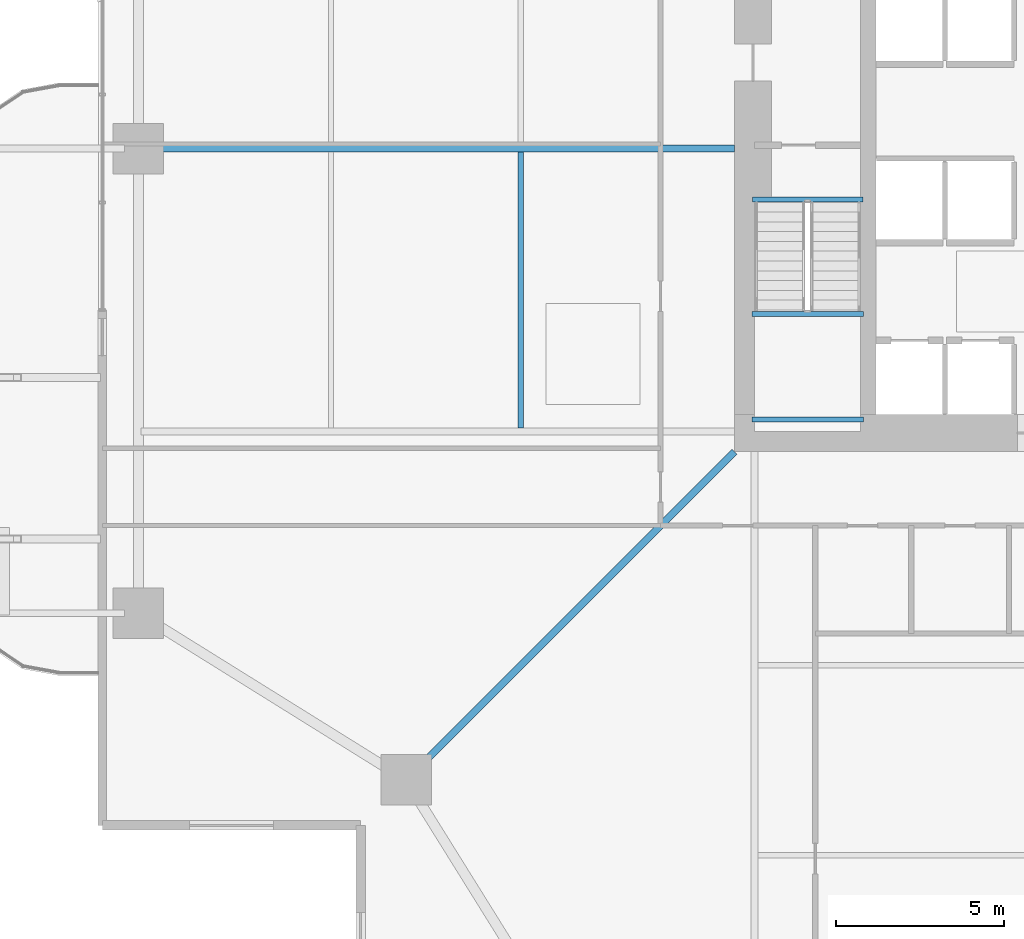
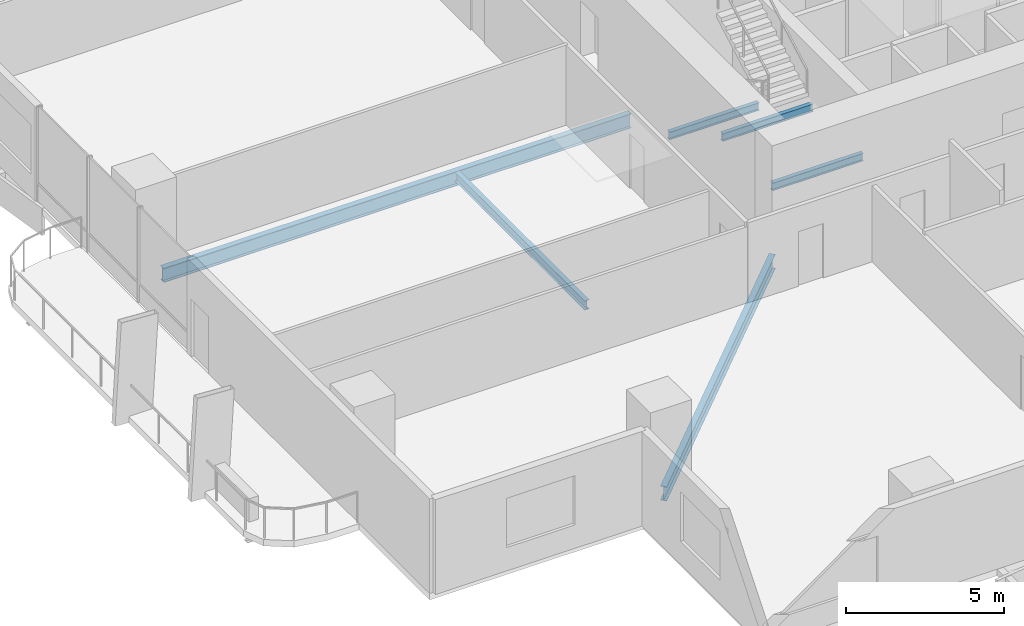
# One storey, part 5 of 24: 6 beams.
"""IFC4 building model written with IfcOpenShell, lengths in metres."""

from ifc_helpers import new_model, si_unit, direction, frame, origin, origin_2d, place, context, subcontext, project, spatial, i_section, extrude, material, material_profile, profile_set, type_object, element, save


model = new_model("IFC4")

# Units and contexts
model_context = context("Model", 3, precision=1e-05, world=origin(), true_north=direction((0.0, 1.0)))
body_context = subcontext(model_context, "Body", "Model", "MODEL_VIEW")
ifc_project = project(units=[si_unit("LENGTHUNIT", "METRE"), si_unit("AREAUNIT", "SQUARE_METRE"), si_unit("VOLUMEUNIT", "CUBIC_METRE"), si_unit("PLANEANGLEUNIT", "RADIAN"), si_unit("MASSUNIT", "GRAM", prefix="KILO")], contexts=[model_context])

# Site, building, storey
site_placement = place(None, origin())
site = spatial("IfcSite", under=ifc_project, at=site_placement, CompositionType="ELEMENT")
building_placement = place(site_placement, origin())
building = spatial("IfcBuilding", under=site, at=building_placement, Name="Belovzor Exchange Tower", CompositionType="ELEMENT")
storey_placement = place(building_placement, frame((0.0, 0.0, 37.800048828125)))
storey = spatial("IfcBuildingStorey", under=building, at=storey_placement, Name="L08", CompositionType="ELEMENT", Elevation=37.800048828125)

# Beams
ifc_material_1 = material(Name="Steel S355", Category="steel")
ifc_material_profile_1 = material_profile(ifc_material_1, i_section(OverallWidth=0.169921875, OverallDepth=0.360107421875, WebThickness=0.008056640625, FlangeThickness=0.0126953125, at=origin_2d()))
ifc_profile_set_1 = profile_set([ifc_material_profile_1], Name="Steel S355")
beam_type_1 = type_object("IfcBeamType", Name="Secondary Infill Floor Joist IPE 360", PredefinedType="BEAM", material=ifc_profile_set_1)
beam_1_placement = place(storey_placement, frame((13.455078125, 20.5048828125, -0.429931640625), z_axis=(0.0, 1.0, 0.0), x_axis=(-1.0, 0.0, 0.0)))
element("IfcBeam", 1, at=beam_1_placement, inside=storey, type_object=beam_type_1, Name="FJ-360 Secondary Infill Floor Joist IPE 360", PredefinedType="BEAM", context=body_context, shape_type="SweptSolid", body=[
    extrude(i_section(OverallWidth=0.169921875, OverallDepth=0.360107421875, WebThickness=0.008056640625, FlangeThickness=0.0126953125, at=origin_2d()), origin(), (0.0, 0.0, 1.0), 8.190185546875),
])
ifc_material_2 = material(Name="Steel S355", Category="steel")
ifc_material_profile_2 = material_profile(ifc_material_2, i_section(OverallWidth=0.14990234375, OverallDepth=0.300048828125, WebThickness=0.007080078125, FlangeThickness=0.0107421875, at=origin_2d()))
ifc_profile_set_2 = profile_set([ifc_material_profile_2], Name="Steel S355")
beam_type_2 = type_object("IfcBeamType", Name="Secondary Trim Floor Joist IPE 300", PredefinedType="BEAM", material=ifc_profile_set_2)
for number, where, z_axis, x_axis, name in (
    (2, (20.320068359375, 23.889892578125, 1.599853515625), (1.0, 0.0, 0.0), (0.0, 1.0, 0.0), "FJ-300 Secondary Trim Floor Joist IPE 300"),
    (3, (20.320068359375, 20.75, 1.599853515625), (1.0, 0.0, 0.0), (0.0, 1.0, 0.0), "FJ-300 Secondary Trim Floor Joist IPE 300"),
):
    element("IfcBeam", number, at=place(storey_placement, frame(where, z_axis=z_axis, x_axis=x_axis)), inside=storey, type_object=beam_type_2, Name=name, PredefinedType="BEAM", context=body_context, shape_type="SweptSolid", body=[
        extrude(i_section(OverallWidth=0.14990234375, OverallDepth=0.300048828125, WebThickness=0.007080078125, FlangeThickness=0.0107421875, at=origin_2d()), origin(), (0.0, 0.0, 1.0), 3.309814453125),
    ])
beam_2_placement = place(storey_placement, frame((20.340087890625, 27.280029296875, -0.400146484375), z_axis=(1.0, 0.0, 0.0), x_axis=(0.0, 1.0, 0.0)))
element("IfcBeam", 4, at=beam_2_placement, inside=storey, type_object=beam_type_2, Name="FJ-300 Secondary Trim Floor Joist IPE 300", PredefinedType="BEAM", context=body_context, shape_type="SweptSolid", body=[
    extrude(i_section(OverallWidth=0.14990234375, OverallDepth=0.300048828125, WebThickness=0.007080078125, FlangeThickness=0.0107421875, at=origin_2d()), origin(), (0.0, 0.0, 1.0), 3.27001953125),
])
ifc_material_3 = material(Name="Steel S355", Category="steel")
ifc_material_profile_3 = material_profile(ifc_material_3, i_section(OverallWidth=0.2099609375, OverallDepth=0.550048828125, WebThickness=0.010986328125, FlangeThickness=0.01708984375, at=origin_2d()))
ifc_profile_set_3 = profile_set([ifc_material_profile_3], Name="Steel S355")
beam_type_3 = type_object("IfcBeamType", Name="Zone 1 Radial Composite Floor Beam IPE 550", PredefinedType="BEAM", material=ifc_profile_set_3)
beam_3_placement = place(storey_placement, frame((19.800048828125, 28.800048828125, -0.525146484375), z_axis=(-1.0, 0.0, 0.0), x_axis=(0.0, -1.0, 0.0)))
element("IfcBeam", 5, at=beam_3_placement, inside=storey, type_object=beam_type_3, Name="FB-550 Zone 1 Radial Composite Floor Beam IPE 550", PredefinedType="BEAM", context=body_context, shape_type="SweptSolid", body=[
    extrude(i_section(OverallWidth=0.2099609375, OverallDepth=0.550048828125, WebThickness=0.010986328125, FlangeThickness=0.01708984375, at=origin_2d()), origin(), (0.0, 0.0, 1.0), 17.0400390625),
])
beam_4_placement = place(storey_placement, frame((19.800048828125, 19.800048828125, -0.525146484375), z_axis=(-0.707106781187, -0.707106781187, 0.0), x_axis=(0.707106781187, -0.707106781187, 0.0)))
element("IfcBeam", 6, at=beam_4_placement, inside=storey, type_object=beam_type_3, Name="FB-550 Zone 1 Radial Composite Floor Beam IPE 550", PredefinedType="BEAM", context=body_context, shape_type="SweptSolid", body=[
    extrude(i_section(OverallWidth=0.2099609375, OverallDepth=0.550048828125, WebThickness=0.010986328125, FlangeThickness=0.01708984375, at=origin_2d()), origin(), (0.0, 0.0, 1.0), 13.25830078125),
])

save(model, "model.ifc")
